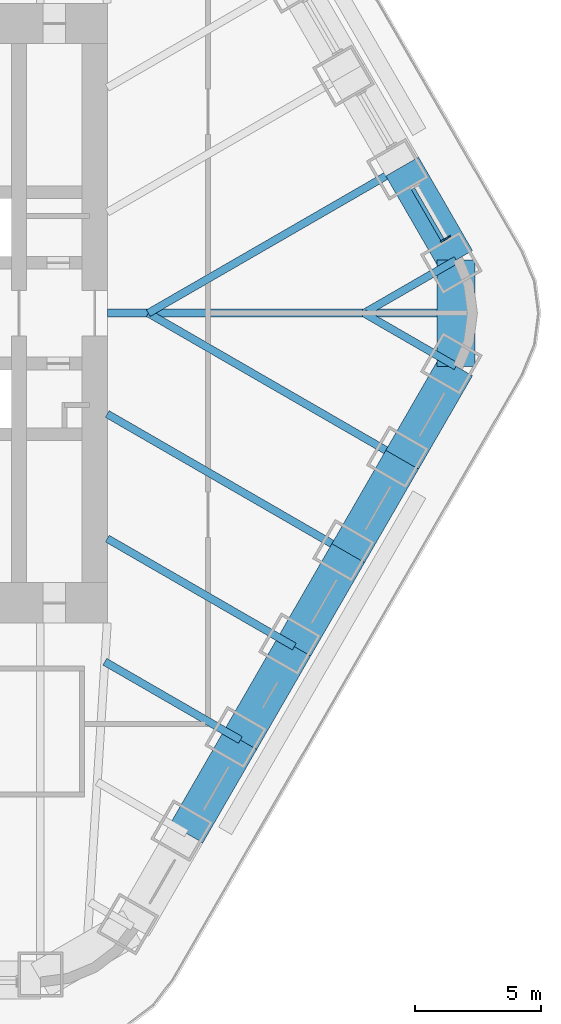
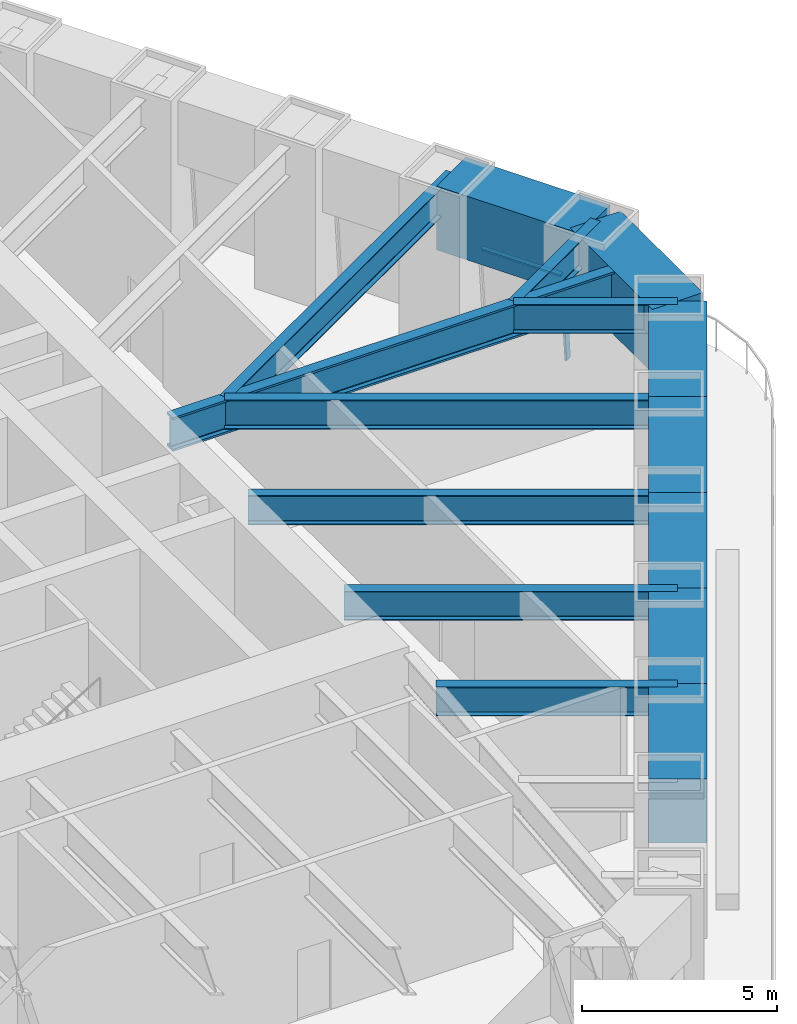
# One storey, part 3 of 14: 15 beams, 2 members, 1 element without a shape of its own.
"""IFC4 building model written with IfcOpenShell, lengths in metres."""

from ifc_helpers import new_model, si_unit, direction, frame, origin, origin_2d, place, context, subcontext, project, spatial, rectangle, i_section, extrude, material, material_profile, profile_set, type_object, element, aggregate, save


model = new_model("IFC4")

# Units and contexts
model_context = context("Model", 3, precision=1e-05, world=origin(), true_north=direction((0.0, 1.0)))
body_context = subcontext(model_context, "Body", "Model", "MODEL_VIEW")
ifc_project = project(units=[si_unit("LENGTHUNIT", "METRE"), si_unit("AREAUNIT", "SQUARE_METRE"), si_unit("VOLUMEUNIT", "CUBIC_METRE"), si_unit("PLANEANGLEUNIT", "RADIAN"), si_unit("MASSUNIT", "GRAM", prefix="KILO")], contexts=[model_context])

# Site, building, storey
site_placement = place(None, origin())
site = spatial("IfcSite", under=ifc_project, at=site_placement, CompositionType="ELEMENT")
building_placement = place(site_placement, origin())
building = spatial("IfcBuilding", under=site, at=building_placement, Name="Tarfa Lantern Tower", CompositionType="ELEMENT")
storey_placement = place(building_placement, frame((0.0, 0.0, 306.5)))
storey = spatial("IfcBuildingStorey", under=building, at=storey_placement, Name="L69", CompositionType="ELEMENT", Elevation=306.5)

# Curtain wall, members
ifc_material_1 = material(Name="Aluminium framed curtain wall", Category="aluminium")
curtain_wall_type = type_object("IfcCurtainWallType", Name="CW5 CANTED GLAZING SKY LOBBY 2800", PredefinedType="USERDEFINED", material=ifc_material_1)
curtain_wall_placement = place(storey_placement, origin())
curtain_wall = element("IfcCurtainWall", 1, at=curtain_wall_placement, inside=storey, type_object=curtain_wall_type, Name="CW5 NE L69", ObjectType="CURTAIN WALL", PredefinedType="USERDEFINED")
ifc_material_2 = material(Name="Aluminium mullion", Category="aluminium")
ifc_material_profile_1 = material_profile(ifc_material_2, rectangle(XDim=0.06494140625, YDim=0.199951171875, at=origin_2d()), Name="AL MULLION 65x200")
ifc_profile_set_1 = profile_set([ifc_material_profile_1], Name="Aluminium mullion")
member_type_1 = type_object("IfcMemberType", Name="CWM1 MULLION 65x200", PredefinedType="MULLION", material=ifc_profile_set_1)
member_1_placement = place(storey_placement, frame((29.036376953125, 3.007568359375, 0.0), z_axis=(-0.077032386753, -0.044465143199, 0.996036576854), x_axis=(0.499919672301, -0.866071776036, 0.0)))
member_1 = element("IfcMember", 2, at=member_1_placement, type_object=member_type_1, Name="CW5 mullion 1", PredefinedType="MULLION", context=body_context, shape_type="SweptSolid", body=[
    extrude(rectangle(XDim=0.06494140625, YDim=0.199951171875, at=origin_2d()), origin(), (0.0, 0.0, 1.0), 2.811279296875),
])
ifc_material_3 = material(Name="Aluminium transom", Category="aluminium")
ifc_material_profile_2 = material_profile(ifc_material_3, rectangle(XDim=0.14990234375, YDim=0.06494140625, at=origin_2d()), Name="AL TRANSOM 150x65")
ifc_profile_set_2 = profile_set([ifc_material_profile_2], Name="Aluminium transom")
member_type_2 = type_object("IfcMemberType", Name="CWT1 TRANSOM 150x65", PredefinedType="USERDEFINED", material=ifc_profile_set_2)
member_2_placement = place(storey_placement, frame((28.80615234375, 2.912109375, 2.767578125), z_axis=(-0.500012978079, 0.866017910757, 0.0), x_axis=(-0.866017910757, -0.500012978079, 0.0)))
member_2 = element("IfcMember", 3, at=member_2_placement, type_object=member_type_2, Name="CW5 transom 1.2", ObjectType="TRANSOM", PredefinedType="USERDEFINED", context=body_context, shape_type="SweptSolid", body=[
    extrude(rectangle(XDim=0.14990234375, YDim=0.06494140625, at=origin_2d()), origin(), (0.0, 0.0, 1.0), 2.35205078125),
])
aggregate(curtain_wall, [member_1, member_2])

# Beams
ifc_material_4 = material(Name="Concrete C80/95", Category="concrete")
ifc_material_profile_3 = material_profile(ifc_material_4, rectangle(XDim=1.5, YDim=2.0, at=origin_2d()), Name="RC 1500x2000")
ifc_profile_set_3 = profile_set([ifc_material_profile_3], Name="Concrete C80/95")
beam_type_1 = type_object("IfcBeamType", Name="RB3 RC 1500x2000", PredefinedType="BEAM", material=ifc_profile_set_3)
for number, where, z_axis, x_axis, name in (
    (4, (29.3466796875, 2.110107421875, 3.800048828125), (-0.499984039138, 0.866034618596, 0.0), (-0.866034618596, -0.499984039138, 0.0), "Edge beam NE0"),
    (5, (18.6416015625, -20.651611328125, 3.800048828125), (0.500026801138, 0.866009929587, 0.0), (-0.866009929587, 0.500026801138, 0.0), "Edge beam SE1"),
    (6, (20.78271484375, -16.943359375, 3.800048828125), (0.499984039138, 0.866034618596, 0.0), (-0.866034618596, 0.499984039138, 0.0), "Edge beam SE2"),
):
    element("IfcBeam", number, at=place(storey_placement, frame(where, z_axis=z_axis, x_axis=x_axis)), inside=storey, type_object=beam_type_1, Name=name, PredefinedType="BEAM", context=body_context, shape_type="SweptSolid", body=[
        extrude(rectangle(XDim=1.5, YDim=2.0, at=origin_2d()), origin(), (0.0, 0.0, 1.0), 4.281982421875),
    ])
beam_1_placement = place(storey_placement, frame((22.923583984375, -13.235107421875, 3.800048828125), z_axis=(0.500002112793, 0.866024183959, 0.0), x_axis=(-0.866024183959, 0.500002112793, 0.0)))
element("IfcBeam", 7, at=beam_1_placement, inside=storey, type_object=beam_type_1, Name="Edge beam SE3", PredefinedType="BEAM", context=body_context, shape_type="SweptSolid", body=[
    extrude(rectangle(XDim=1.5, YDim=2.0, at=origin_2d()), origin(), (0.0, 0.0, 1.0), 4.2822265625),
])
for number, where, z_axis, x_axis, name in (
    (8, (25.064697265625, -9.526611328125, 3.800048828125), (0.500026801138, 0.866009929587, 0.0), (-0.866009929587, 0.500026801138, 0.0), "Edge beam SE4"),
    (9, (27.205810546875, -5.818359375, 3.800048828125), (0.499984039138, 0.866034618596, 0.0), (-0.866034618596, 0.499984039138, 0.0), "Edge beam SE5"),
):
    element("IfcBeam", number, at=place(storey_placement, frame(where, z_axis=z_axis, x_axis=x_axis)), inside=storey, type_object=beam_type_1, Name=name, PredefinedType="BEAM", context=body_context, shape_type="SweptSolid", body=[
        extrude(rectangle(XDim=1.5, YDim=2.0, at=origin_2d()), origin(), (0.0, 0.0, 1.0), 4.281982421875),
    ])
beam_2_placement = place(storey_placement, frame((29.3466796875, -2.110107421875, 3.800048828125), z_axis=(0.0, 1.0, 0.0), x_axis=(-1.0, 0.0, 0.0)))
element("IfcBeam", 10, at=beam_2_placement, inside=storey, type_object=beam_type_1, Name="Edge beam SE6", PredefinedType="BEAM", context=body_context, shape_type="SweptSolid", body=[
    extrude(rectangle(XDim=1.5, YDim=2.0, at=origin_2d()), origin(), (0.0, 0.0, 1.0), 4.22021484375),
])
ifc_material_5 = material(Name="Steel S460M", Category="steel")
ifc_material_profile_4 = material_profile(ifc_material_5, i_section(OverallWidth=0.314208984375, OverallDepth=1.055908203125, WebThickness=0.035888671875, FlangeThickness=0.06396484375, FilletRadius=0.030029296875, at=origin_2d()), Name="UB1016x305x584")
ifc_profile_set_4 = profile_set([ifc_material_profile_4], Name="Steel S460M")
beam_type_2 = type_object("IfcBeamType", Name="UB1016x305x584", PredefinedType="BEAM", material=ifc_profile_set_4)
beam_3_placement = place(storey_placement, frame((15.5, 0.0, 4.27197265625), z_axis=(1.0, 0.0, 0.0), x_axis=(0.0, 1.0, 0.0)))
element("IfcBeam", 11, at=beam_3_placement, inside=storey, type_object=beam_type_2, Name="Hip girder E", PredefinedType="BEAM", context=body_context, shape_type="SweptSolid", body=[
    extrude(i_section(OverallWidth=0.314208984375, OverallDepth=1.055908203125, WebThickness=0.035888671875, FlangeThickness=0.06396484375, FilletRadius=0.030029296875, at=origin_2d()), origin(), (0.0, 0.0, 1.0), 13.8466796875),
])
ifc_material_profile_5 = material_profile(ifc_material_5, i_section(OverallWidth=0.305419921875, OverallDepth=0.91845703125, WebThickness=0.017333984375, FlangeThickness=0.02783203125, FilletRadius=0.01904296875, at=origin_2d()), Name="UB914x305x253")
ifc_profile_set_5 = profile_set([ifc_material_profile_5], Name="Steel S460M")
beam_type_3 = type_object("IfcBeamType", Name="UB914x305x253", PredefinedType="BEAM", material=ifc_profile_set_5)
beam_4_placement = place(storey_placement, frame((29.3466796875, 2.110107421875, 4.3408203125), z_axis=(-0.866009274789, -0.500027935199, 0.0), x_axis=(0.500027935199, -0.866009274789, 0.0)))
element("IfcBeam", 12, at=beam_4_placement, inside=storey, type_object=beam_type_3, Name="Floor beam NE0", PredefinedType="BEAM", context=body_context, shape_type="SweptSolid", body=[
    extrude(i_section(OverallWidth=0.305419921875, OverallDepth=0.91845703125, WebThickness=0.017333984375, FlangeThickness=0.02783203125, FilletRadius=0.01904296875, at=origin_2d()), origin(), (0.0, 0.0, 1.0), 4.219970703125),
])
beam_5_placement = place(storey_placement, frame((27.205810546875, 5.818359375, 4.3408203125), z_axis=(-0.866024171998, -0.500002133511, 0.0), x_axis=(0.500002133511, -0.866024171998, 0.0)))
element("IfcBeam", 13, at=beam_5_placement, inside=storey, type_object=beam_type_3, Name="Floor beam NE1", PredefinedType="BEAM", context=body_context, shape_type="SweptSolid", body=[
    extrude(i_section(OverallWidth=0.305419921875, OverallDepth=0.91845703125, WebThickness=0.017333984375, FlangeThickness=0.02783203125, FilletRadius=0.01904296875, at=origin_2d()), origin(), (0.0, 0.0, 1.0), 11.63671875),
])
beam_6_placement = place(storey_placement, frame((20.78271484375, -16.943359375, 4.3408203125), z_axis=(-0.866023926275, 0.500002559113, 0.0), x_axis=(-0.500002559113, -0.866023926275, 0.0)))
element("IfcBeam", 14, at=beam_6_placement, inside=storey, type_object=beam_type_3, Name="Floor beam SE2", PredefinedType="BEAM", context=body_context, shape_type="SweptSolid", body=[
    extrude(i_section(OverallWidth=0.305419921875, OverallDepth=0.91845703125, WebThickness=0.017333984375, FlangeThickness=0.02783203125, FilletRadius=0.01904296875, at=origin_2d()), origin(), (0.0, 0.0, 1.0), 6.2119140625),
])
beam_7_placement = place(storey_placement, frame((22.923583984375, -13.235107421875, 4.3408203125), z_axis=(-0.866019109593, 0.500010901701, 0.0), x_axis=(-0.500010901701, -0.866019109593, 0.0)))
element("IfcBeam", 15, at=beam_7_placement, inside=storey, type_object=beam_type_3, Name="Floor beam SE3", PredefinedType="BEAM", context=body_context, shape_type="SweptSolid", body=[
    extrude(i_section(OverallWidth=0.305419921875, OverallDepth=0.91845703125, WebThickness=0.017333984375, FlangeThickness=0.02783203125, FilletRadius=0.01904296875, at=origin_2d()), origin(), (0.0, 0.0, 1.0), 8.572021484375),
])
beam_8_placement = place(storey_placement, frame((25.064697265625, -9.526611328125, 4.3408203125), z_axis=(-0.866023982312, 0.500002462055, 0.0), x_axis=(-0.500002462055, -0.866023982312, 0.0)))
element("IfcBeam", 16, at=beam_8_placement, inside=storey, type_object=beam_type_3, Name="Floor beam SE4", PredefinedType="BEAM", context=body_context, shape_type="SweptSolid", body=[
    extrude(i_section(OverallWidth=0.305419921875, OverallDepth=0.91845703125, WebThickness=0.017333984375, FlangeThickness=0.02783203125, FilletRadius=0.01904296875, at=origin_2d()), origin(), (0.0, 0.0, 1.0), 11.04443359375),
])
beam_9_placement = place(storey_placement, frame((27.205810546875, -5.818359375, 4.3408203125), z_axis=(-0.866024171998, 0.500002133511, 0.0), x_axis=(-0.500002133511, -0.866024171998, 0.0)))
element("IfcBeam", 17, at=beam_9_placement, inside=storey, type_object=beam_type_3, Name="Floor beam SE5", PredefinedType="BEAM", context=body_context, shape_type="SweptSolid", body=[
    extrude(i_section(OverallWidth=0.305419921875, OverallDepth=0.91845703125, WebThickness=0.017333984375, FlangeThickness=0.02783203125, FilletRadius=0.01904296875, at=origin_2d()), origin(), (0.0, 0.0, 1.0), 11.63671875),
])
beam_10_placement = place(storey_placement, frame((29.3466796875, -2.110107421875, 4.3408203125), z_axis=(-0.866009274789, 0.500027935199, 0.0), x_axis=(-0.500027935199, -0.866009274789, 0.0)))
element("IfcBeam", 18, at=beam_10_placement, inside=storey, type_object=beam_type_3, Name="Floor beam SE6", PredefinedType="BEAM", context=body_context, shape_type="SweptSolid", body=[
    extrude(i_section(OverallWidth=0.305419921875, OverallDepth=0.91845703125, WebThickness=0.017333984375, FlangeThickness=0.02783203125, FilletRadius=0.01904296875, at=origin_2d()), origin(), (0.0, 0.0, 1.0), 4.219970703125),
])

save(model, "model.ifc")
